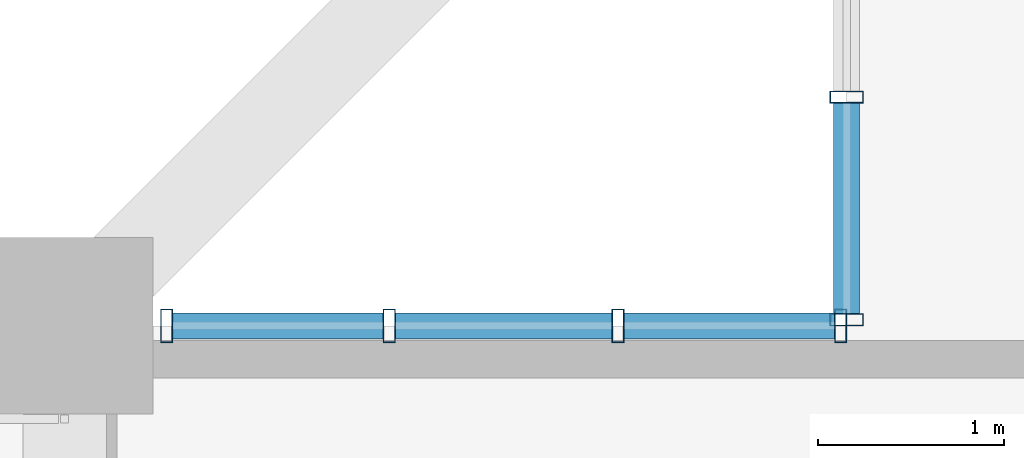
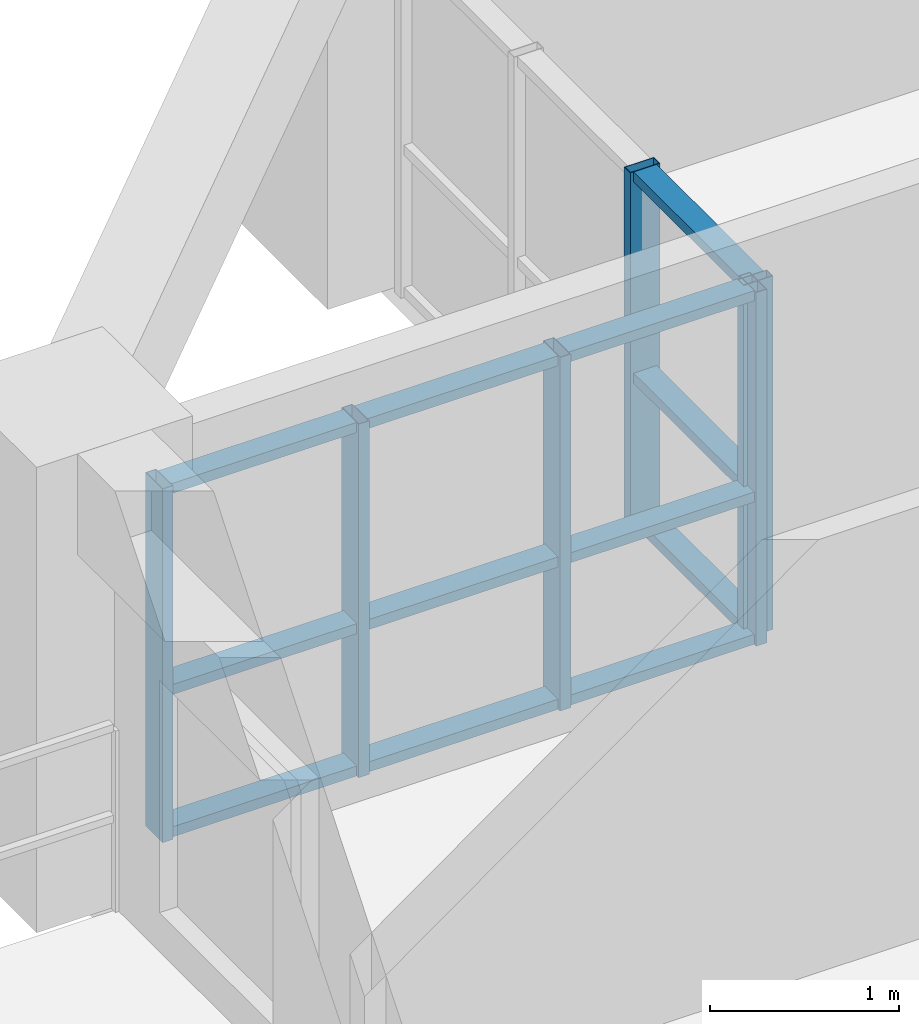
# One storey, part 6 of 25: 18 members, 2 elements without a shape of their own.
"""IFC4 building model written with IfcOpenShell, lengths in metres."""

import ifcopenshell
import ifcopenshell.guid

model = None  # the IFC model being written
_history = None  # IfcOwnerHistory: only IFC2X3 demands one
_inside = {}  # id of a spatial element -> (the spatial element, [elements in it])
_under = {}  # id of a project, library or spatial element -> (it, [spatial elements below it])
_declared = {}  # id of a project -> (the project, [libraries it declares])
_typed = {}  # id of a type object -> (the type object, [elements of that type])
_made_of = {}  # id of a material, layer set ... -> (it, [elements and type objects made of it])


def new_model(schema):
    """Start an empty IFC model of exactly this schema.

    Asked for "IFC4X3", IfcOpenShell would pick the latest addendum, in which some entities
    have other attributes; the version numbers below select the first issue.
    IFC2X3 requires an IfcOwnerHistory on every rooted entity: one is made here for all.
    """
    global model, _history
    if schema == "IFC4X3":
        model = ifcopenshell.file(schema_version=(4, 3, 0, 0))
    else:
        model = ifcopenshell.file(schema=schema)
    _inside.clear()
    _under.clear()
    _declared.clear()
    _typed.clear()
    _made_of.clear()
    _history = None
    if model.schema == "IFC2X3":
        org = make("IfcOrganization", Name="unknown")
        user = make(
            "IfcPersonAndOrganization",
            ThePerson=make("IfcPerson", FamilyName="unknown"),
            TheOrganization=org,
        )
        app = make(
            "IfcApplication",
            ApplicationDeveloper=org,
            Version="unknown",
            ApplicationFullName="unknown",
            ApplicationIdentifier="unknown",
        )
        _history = make(
            "IfcOwnerHistory",
            OwningUser=user,
            OwningApplication=app,
            ChangeAction="ADDED",
            CreationDate=0,
        )
    return model


def make(cls, **values):
    """One entity of the class cls with the attributes given. An attribute that is None is left unset."""
    return model.create_entity(
        cls, **{name: value for name, value in values.items() if value is not None}
    )


def rooted(cls, **values):
    """An entity with a GlobalId (a new one), such as an element, a storey or a relation."""
    return make(cls, GlobalId=ifcopenshell.guid.new(), OwnerHistory=_history, **values)


def si_unit(unit_type, name, prefix=None):
    """IfcSIUnit, for example si_unit("LENGTHUNIT", "METRE", prefix="MILLI")."""
    return make("IfcSIUnit", UnitType=unit_type, Prefix=prefix, Name=name)


def assignment(units):
    """IfcUnitAssignment: the units of a project."""
    return None if units is None else make("IfcUnitAssignment", Units=units)


def point(xyz):
    """IfcCartesianPoint."""
    return None if xyz is None else make("IfcCartesianPoint", Coordinates=xyz)


def direction(xyz):
    """IfcDirection."""
    return None if xyz is None else make("IfcDirection", DirectionRatios=xyz)


def frame(location, z_axis=None, x_axis=None):
    """IfcAxis2Placement3D, a coordinate frame: its origin and axes. An axis left out is left unset."""
    return make(
        "IfcAxis2Placement3D",
        Location=point(location),
        Axis=direction(z_axis),
        RefDirection=direction(x_axis),
    )


def frame_2d(location, x_axis=None):
    """IfcAxis2Placement2D, a coordinate frame in the plane: its origin and x axis."""
    return make(
        "IfcAxis2Placement2D", Location=point(location), RefDirection=direction(x_axis)
    )


def origin():
    """The frame at (0, 0, 0) with its axes left unset."""
    return frame((0.0, 0.0, 0.0))


def origin_2d():
    """The frame at (0, 0) in the plane with its x axis left unset."""
    return frame_2d((0.0, 0.0))


def place(relative_to, where):
    """IfcLocalPlacement: puts the frame where relative to a parent placement (None: the world)."""
    return make(
        "IfcLocalPlacement", PlacementRelTo=relative_to, RelativePlacement=where
    )


def context(
    kind, dimensions, precision=None, world=None, true_north=None, identifier=None
):
    """IfcGeometricRepresentationContext, for example the 3D "Model" context."""
    return make(
        "IfcGeometricRepresentationContext",
        ContextIdentifier=identifier,
        ContextType=kind,
        CoordinateSpaceDimension=dimensions,
        Precision=precision,
        WorldCoordinateSystem=world,
        TrueNorth=true_north,
    )


def subcontext(parent, identifier, kind, view, scale=None):
    """IfcGeometricRepresentationSubContext, for example "Body" below "Model"."""
    return make(
        "IfcGeometricRepresentationSubContext",
        ContextIdentifier=identifier,
        ContextType=kind,
        ParentContext=parent,
        TargetScale=scale,
        TargetView=view,
    )


def project(units=None, contexts=None):
    """IfcProject with its units and contexts."""
    return rooted(
        "IfcProject",
        Name="project",
        RepresentationContexts=contexts,
        UnitsInContext=assignment(units),
    )


def spatial(cls, under=None, at=None, **own):
    """A site, building, storey or space (cls), placed at a placement, below another one or the project."""
    s = rooted(cls, ObjectPlacement=at, **own)
    if under is not None:
        _under.setdefault(under.id(), (under, []))[1].append(s)
    return s


def profile(cls, at=None, kind="AREA", **sizes):
    """A parametric profile (cls). Its sizes go by their IFC names, for example OverallWidth=200.0."""
    return make(cls, ProfileType=kind, Position=at, **sizes)


def hollow_rectangle(**sizes):
    """IfcRectangleHollowProfileDef."""
    return profile("IfcRectangleHollowProfileDef", **sizes)


def extrude(swept, where, along, depth):
    """IfcExtrudedAreaSolid: the profile swept, set in the frame where, extruded along a direction by depth."""
    return make(
        "IfcExtrudedAreaSolid",
        SweptArea=swept,
        Position=where,
        ExtrudedDirection=direction(along),
        Depth=depth,
    )


def shape(context_of_items, identifier, shape_type, items):
    """IfcShapeRepresentation: the items that make up one representation, for example the "Body"."""
    return make(
        "IfcShapeRepresentation",
        ContextOfItems=context_of_items,
        RepresentationIdentifier=identifier,
        RepresentationType=shape_type,
        Items=items,
    )


def source(mapping_origin, context_of_items, identifier, shape_type, items):
    """IfcRepresentationMap: a shape defined once, which mapped items show again and again."""
    return make(
        "IfcRepresentationMap",
        MappingOrigin=mapping_origin,
        MappedRepresentation=shape(context_of_items, identifier, shape_type, items),
    )


def transform(
    local_origin,
    x_axis=None,
    y_axis=None,
    z_axis=None,
    scale=None,
    scale2=None,
    scale3=None,
    uniform=True,
):
    """IfcCartesianTransformationOperator3D, or its non-uniform kind. x_axis, y_axis, z_axis: its Axis1, 2, 3."""
    if uniform:
        return make(
            "IfcCartesianTransformationOperator3D",
            Axis1=direction(x_axis),
            Axis2=direction(y_axis),
            LocalOrigin=point(local_origin),
            Scale=scale,
            Axis3=direction(z_axis),
        )
    return make(
        "IfcCartesianTransformationOperator3DnonUniform",
        Axis1=direction(x_axis),
        Axis2=direction(y_axis),
        LocalOrigin=point(local_origin),
        Scale=scale,
        Axis3=direction(z_axis),
        Scale2=scale2,
        Scale3=scale3,
    )


def mapped(mapping_source, mapping_target):
    """IfcMappedItem: shows the shape of a source again, moved by a transform."""
    return make(
        "IfcMappedItem", MappingSource=mapping_source, MappingTarget=mapping_target
    )


def material(Name=None, Category=None):
    """IfcMaterial."""
    return make("IfcMaterial", Name=Name, Category=Category)


def layer(
    of_material, thickness, ventilated=None, Name=None, Category=None, Priority=None
):
    """IfcMaterialLayer: one layer of a wall or slab, of a material (None: an air gap)."""
    return make(
        "IfcMaterialLayer",
        Material=of_material,
        LayerThickness=thickness,
        IsVentilated=ventilated,
        Name=Name,
        Category=Category,
        Priority=Priority,
    )


def layer_set(layers, Name=None):
    """IfcMaterialLayerSet."""
    return make("IfcMaterialLayerSet", MaterialLayers=layers, LayerSetName=Name)


def material_profile(
    of_material, cross_section, Name=None, Category=None, Priority=None
):
    """IfcMaterialProfile: a cross section and its material."""
    return make(
        "IfcMaterialProfile",
        Name=Name,
        Material=of_material,
        Profile=cross_section,
        Priority=Priority,
        Category=Category,
    )


def profile_set(profiles, Name=None, composite=None):
    """IfcMaterialProfileSet."""
    return make(
        "IfcMaterialProfileSet",
        Name=Name,
        MaterialProfiles=profiles,
        CompositeProfile=composite,
    )


def made_of(thing, what):
    """Note that an element or type object is made of a material, layer set ...; save() writes the relation."""
    if what is not None:
        _made_of.setdefault(what.id(), (what, []))[1].append(thing)
    return thing


def type_object(cls, material=None, **own):
    """A type object (cls), such as IfcWallType, which elements share."""
    return made_of(rooted(cls, **own), material)


def element(
    cls,
    number,
    at=None,
    inside=None,
    cuts=None,
    type_object=None,
    material=None,
    context=None,
    identifier="Body",
    shape_type=None,
    held_by="IfcProductDefinitionShape",
    body=None,
    shapes=None,
    **own,
):
    """One element of the class cls, such as IfcWall. Its Tag is "e" and its number.

    at: its placement. inside: the storey or other place that contains it. cuts: it is an
    opening in that element (IfcRelVoidsElement). A single representation is given by context,
    identifier, shape_type and body (its items); several are given by shapes. held_by: the class
    of the entity that holds the representations. save() writes the other relations.
    """
    e = rooted(cls, Tag="e%d" % number, ObjectPlacement=at, **own)
    if body is not None:
        shapes = [shape(context, identifier, shape_type, body)]
    if shapes is not None:
        e.Representation = make(held_by, Representations=shapes)
    if inside is not None:
        _inside.setdefault(inside.id(), (inside, []))[1].append(e)
    if cuts is not None:
        rooted(
            "IfcRelVoidsElement", RelatingBuildingElement=cuts, RelatedOpeningElement=e
        )
    if type_object is not None:
        _typed.setdefault(type_object.id(), (type_object, []))[1].append(e)
    return made_of(e, material)


def aggregate(whole, parts):
    """IfcRelAggregates: a whole, such as a stair, and the parts it consists of."""
    return rooted("IfcRelAggregates", RelatingObject=whole, RelatedObjects=parts)


def save(model, path):
    """Write the relations noted so far, then the file.

    IfcRelAggregates (storeys below a building ...), IfcRelContainedInSpatialStructure (elements
    in a storey), IfcRelDefinesByType, IfcRelAssociatesMaterial and IfcRelDeclares: one each for
    every whole, place, type object, material and project.
    """
    for whole, parts in _under.values():
        aggregate(whole, parts)
    for where, things in _inside.values():
        rooted(
            "IfcRelContainedInSpatialStructure",
            RelatedElements=things,
            RelatingStructure=where,
        )
    for kind, things in _typed.values():
        rooted("IfcRelDefinesByType", RelatedObjects=things, RelatingType=kind)
    for what, things in _made_of.values():
        rooted("IfcRelAssociatesMaterial", RelatedObjects=things, RelatingMaterial=what)
    for by, libraries in _declared.values():
        rooted("IfcRelDeclares", RelatingContext=by, RelatedDefinitions=libraries)
    model.write(path)


model = new_model("IFC4")

# Units and contexts
model_context = context("Model", 3, precision=1e-05, world=origin(), true_north=direction((0.0, 1.0)))
body_context = subcontext(model_context, "Body", "Model", "MODEL_VIEW")
ifc_project = project(units=[si_unit("LENGTHUNIT", "METRE"), si_unit("AREAUNIT", "SQUARE_METRE"), si_unit("VOLUMEUNIT", "CUBIC_METRE"), si_unit("PLANEANGLEUNIT", "RADIAN"), si_unit("MASSUNIT", "GRAM", prefix="KILO")], contexts=[model_context])

# Site, building, storey
site_placement = place(None, origin())
site = spatial("IfcSite", under=ifc_project, at=site_placement, CompositionType="ELEMENT")
building_placement = place(site_placement, origin())
building = spatial("IfcBuilding", under=site, at=building_placement, Name="Saelheon Loggia Tower", CompositionType="ELEMENT")
storey_placement = place(building_placement, frame((0.0, 0.0, 107.85009765625)))
storey = spatial("IfcBuildingStorey", under=building, at=storey_placement, Name="L34", CompositionType="ELEMENT", Elevation=107.85009765625)

# Curtain wall, members
ifc_material_1 = material(Name="Thermal-Break Aluminium and Triple Low-E Glass", Category="aluminium")
ifc_layer = layer(ifc_material_1, 0.159912109375)
ifc_layer_set = layer_set([ifc_layer], Name="Thermal-Break Aluminium and Triple Low-E Glass")
curtain_wall_type = type_object("IfcCurtainWallType", Name="CW_TowerLoggiaLow", PredefinedType="NOTDEFINED", material=ifc_layer_set)
curtain_wall_1_placement = place(storey_placement, origin())
curtain_wall_1 = element("IfcCurtainWall", 1, at=curtain_wall_1_placement, inside=storey, type_object=curtain_wall_type, Name="L34 Corner Notch Glazing NW1", PredefinedType="NOTDEFINED")
ifc_material_2 = material(Name="Anodised Aluminium 6063-T6", Category="aluminium")
ifc_material_profile_1 = material_profile(ifc_material_2, hollow_rectangle(XDim=0.06494140625, YDim=0.179931640625, WallThickness=0.00390625, at=origin_2d()), Name="RHS-180x65x4")
ifc_profile_set_1 = profile_set([ifc_material_profile_1], Name="Anodised Aluminium 6063-T6")
member_type_1 = type_object("IfcMemberType", Name="CW_TowerLoggiaLow_Mullion", PredefinedType="MULLION", material=ifc_profile_set_1)
shared_shape_1 = source(origin(), body_context, "Body", "SweptSolid", [
    extrude(hollow_rectangle(XDim=0.06494140625, YDim=0.179931640625, WallThickness=0.00390625, at=origin_2d()), origin(), (0.0, 0.0, 1.0), 2.27978515625),
])
member_1_placement = place(storey_placement, frame((16.199951171875, 46.83251953125, 0.0), z_axis=(0.0, 0.0, 1.0), x_axis=(0.0, 1.0, 0.0)))
member_1 = element("IfcMember", 2, at=member_1_placement, type_object=member_type_1, Name="CW3 mullion 1", PredefinedType="MULLION", context=body_context, shape_type="MappedRepresentation", body=[
    mapped(shared_shape_1, transform((0.0, 0.0, 0.0), scale=1.0)),
])
member_2_placement = place(storey_placement, frame((16.199951171875, 48.0283203125, 0.0), z_axis=(0.0, 0.0, 1.0), x_axis=(0.0, 1.0, 0.0)))
member_2 = element("IfcMember", 3, at=member_2_placement, type_object=member_type_1, Name="CW3 mullion 2", PredefinedType="MULLION", context=body_context, shape_type="MappedRepresentation", body=[
    mapped(shared_shape_1, transform((0.0, 0.0, 0.0), scale=1.0)),
])

curtain_wall_2_placement = place(storey_placement, origin())
curtain_wall_2 = element("IfcCurtainWall", 4, at=curtain_wall_2_placement, inside=storey, type_object=curtain_wall_type, Name="L34 Corner Notch Glazing NW2", PredefinedType="NOTDEFINED")
member_3_placement = place(storey_placement, frame((12.547607421875, 46.800048828125, 0.0), z_axis=(0.0, 0.0, 1.0), x_axis=(1.0, 0.0, 0.0)))
member_3 = element("IfcMember", 5, at=member_3_placement, type_object=member_type_1, Name="CW3 mullion 1", PredefinedType="MULLION", context=body_context, shape_type="MappedRepresentation", body=[
    mapped(shared_shape_1, transform((0.0, 0.0, 0.0), scale=1.0)),
])
member_4_placement = place(storey_placement, frame((13.743408203125, 46.800048828125, 0.0), z_axis=(0.0, 0.0, 1.0), x_axis=(1.0, 0.0, 0.0)))
member_4 = element("IfcMember", 6, at=member_4_placement, type_object=member_type_1, Name="CW3 mullion 2", PredefinedType="MULLION", context=body_context, shape_type="MappedRepresentation", body=[
    mapped(shared_shape_1, transform((0.0, 0.0, 0.0), scale=1.0)),
])
member_5_placement = place(storey_placement, frame((14.9716796875, 46.800048828125, 0.0), z_axis=(0.0, 0.0, 1.0), x_axis=(1.0, 0.0, 0.0)))
member_5 = element("IfcMember", 7, at=member_5_placement, type_object=member_type_1, Name="CW3 mullion 3", PredefinedType="MULLION", context=body_context, shape_type="MappedRepresentation", body=[
    mapped(shared_shape_1, transform((0.0, 0.0, 0.0), scale=1.0)),
])
member_6_placement = place(storey_placement, frame((16.16748046875, 46.800048828125, 0.0), z_axis=(0.0, 0.0, 1.0), x_axis=(1.0, 0.0, 0.0)))
member_6 = element("IfcMember", 8, at=member_6_placement, type_object=member_type_1, Name="CW3 mullion 4", PredefinedType="MULLION", context=body_context, shape_type="MappedRepresentation", body=[
    mapped(shared_shape_1, transform((0.0, 0.0, 0.0), scale=1.0)),
])

# Member
ifc_material_profile_2 = material_profile(ifc_material_2, hollow_rectangle(XDim=0.06494140625, YDim=0.139892578125, WallThickness=0.00390625, at=origin_2d()), Name="RHS-140x65x4")
ifc_profile_set_2 = profile_set([ifc_material_profile_2], Name="Anodised Aluminium 6063-T6")
member_type_2 = type_object("IfcMemberType", Name="CW_TowerLoggiaLow_Transom", PredefinedType="USERDEFINED", material=ifc_profile_set_2)
shared_shape_2 = source(origin(), body_context, "Body", "SweptSolid", [
    extrude(hollow_rectangle(XDim=0.06494140625, YDim=0.139892578125, WallThickness=0.00390625, at=origin_2d()), origin(), (0.0, 0.0, 1.0), 1.130859375),
])
member_7_placement = place(storey_placement, frame((16.199951171875, 46.864990234375, 0.032470703125), z_axis=(0.0, 1.0, 0.0), x_axis=(0.0, 0.0, 1.0)))
member_7 = element("IfcMember", 9, at=member_7_placement, type_object=member_type_2, Name="CW3 transom 1.1", ObjectType="TRANSOM", PredefinedType="USERDEFINED", context=body_context, shape_type="MappedRepresentation", body=[
    mapped(shared_shape_2, transform((0.0, 0.0, 0.0), scale=1.0)),
])

member_8_placement = place(storey_placement, frame((16.199951171875, 46.864990234375, 0.949951171875), z_axis=(0.0, 1.0, 0.0), x_axis=(0.0, 0.0, 1.0)))
member_8 = element("IfcMember", 10, at=member_8_placement, type_object=member_type_2, Name="CW3 transom 1.2", ObjectType="TRANSOM", PredefinedType="USERDEFINED", context=body_context, shape_type="MappedRepresentation", body=[
    mapped(shared_shape_2, transform((0.0, 0.0, 0.0), scale=1.0)),
])

member_9_placement = place(storey_placement, frame((16.199951171875, 46.864990234375, 2.247314453125), z_axis=(0.0, 1.0, 0.0), x_axis=(0.0, 0.0, 1.0)))
member_9 = element("IfcMember", 11, at=member_9_placement, type_object=member_type_2, Name="CW3 transom 1.3", ObjectType="TRANSOM", PredefinedType="USERDEFINED", context=body_context, shape_type="MappedRepresentation", body=[
    mapped(shared_shape_2, transform((0.0, 0.0, 0.0), scale=1.0)),
])

aggregate(curtain_wall_1, [member_1, member_2, member_7, member_8, member_9])

member_10_placement = place(storey_placement, frame((12.580078125, 46.800048828125, 0.032470703125), z_axis=(1.0, 0.0, 0.0), x_axis=(0.0, 0.0, 1.0)))
member_10 = element("IfcMember", 12, at=member_10_placement, type_object=member_type_2, Name="CW3 transom 1.1", ObjectType="TRANSOM", PredefinedType="USERDEFINED", context=body_context, shape_type="MappedRepresentation", body=[
    mapped(shared_shape_2, transform((0.0, 0.0, 0.0), scale=1.0)),
])

member_11_placement = place(storey_placement, frame((12.580078125, 46.800048828125, 0.949951171875), z_axis=(1.0, 0.0, 0.0), x_axis=(0.0, 0.0, 1.0)))
member_11 = element("IfcMember", 13, at=member_11_placement, type_object=member_type_2, Name="CW3 transom 1.2", ObjectType="TRANSOM", PredefinedType="USERDEFINED", context=body_context, shape_type="MappedRepresentation", body=[
    mapped(shared_shape_2, transform((0.0, 0.0, 0.0), scale=1.0)),
])

member_12_placement = place(storey_placement, frame((12.580078125, 46.800048828125, 2.247314453125), z_axis=(1.0, 0.0, 0.0), x_axis=(0.0, 0.0, 1.0)))
member_12 = element("IfcMember", 14, at=member_12_placement, type_object=member_type_2, Name="CW3 transom 1.3", ObjectType="TRANSOM", PredefinedType="USERDEFINED", context=body_context, shape_type="MappedRepresentation", body=[
    mapped(shared_shape_2, transform((0.0, 0.0, 0.0), scale=1.0)),
])

member_13_placement = place(storey_placement, frame((15.004150390625, 46.800048828125, 0.032470703125), z_axis=(1.0, 0.0, 0.0), x_axis=(0.0, 0.0, 1.0)))
member_13 = element("IfcMember", 15, at=member_13_placement, type_object=member_type_2, Name="CW3 transom 3.1", ObjectType="TRANSOM", PredefinedType="USERDEFINED", context=body_context, shape_type="MappedRepresentation", body=[
    mapped(shared_shape_2, transform((0.0, 0.0, 0.0), scale=1.0)),
])

member_14_placement = place(storey_placement, frame((15.004150390625, 46.800048828125, 0.949951171875), z_axis=(1.0, 0.0, 0.0), x_axis=(0.0, 0.0, 1.0)))
member_14 = element("IfcMember", 16, at=member_14_placement, type_object=member_type_2, Name="CW3 transom 3.2", ObjectType="TRANSOM", PredefinedType="USERDEFINED", context=body_context, shape_type="MappedRepresentation", body=[
    mapped(shared_shape_2, transform((0.0, 0.0, 0.0), scale=1.0)),
])

member_15_placement = place(storey_placement, frame((15.004150390625, 46.800048828125, 2.247314453125), z_axis=(1.0, 0.0, 0.0), x_axis=(0.0, 0.0, 1.0)))
member_15 = element("IfcMember", 17, at=member_15_placement, type_object=member_type_2, Name="CW3 transom 3.3", ObjectType="TRANSOM", PredefinedType="USERDEFINED", context=body_context, shape_type="MappedRepresentation", body=[
    mapped(shared_shape_2, transform((0.0, 0.0, 0.0), scale=1.0)),
])

shared_shape_3 = source(origin(), body_context, "Body", "SweptSolid", [
    extrude(hollow_rectangle(XDim=0.06494140625, YDim=0.139892578125, WallThickness=0.00390625, at=origin_2d()), origin(), (0.0, 0.0, 1.0), 1.163330078125),
])
member_16_placement = place(storey_placement, frame((13.77587890625, 46.800048828125, 0.032470703125), z_axis=(1.0, 0.0, 0.0), x_axis=(0.0, 0.0, 1.0)))
member_16 = element("IfcMember", 18, at=member_16_placement, type_object=member_type_2, Name="CW3 transom 2.1", ObjectType="TRANSOM", PredefinedType="USERDEFINED", context=body_context, shape_type="MappedRepresentation", body=[
    mapped(shared_shape_3, transform((0.0, 0.0, 0.0), scale=1.0)),
])

member_17_placement = place(storey_placement, frame((13.77587890625, 46.800048828125, 0.949951171875), z_axis=(1.0, 0.0, 0.0), x_axis=(0.0, 0.0, 1.0)))
member_17 = element("IfcMember", 19, at=member_17_placement, type_object=member_type_2, Name="CW3 transom 2.2", ObjectType="TRANSOM", PredefinedType="USERDEFINED", context=body_context, shape_type="MappedRepresentation", body=[
    mapped(shared_shape_3, transform((0.0, 0.0, 0.0), scale=1.0)),
])

member_18_placement = place(storey_placement, frame((13.77587890625, 46.800048828125, 2.247314453125), z_axis=(1.0, 0.0, 0.0), x_axis=(0.0, 0.0, 1.0)))
member_18 = element("IfcMember", 20, at=member_18_placement, type_object=member_type_2, Name="CW3 transom 2.3", ObjectType="TRANSOM", PredefinedType="USERDEFINED", context=body_context, shape_type="MappedRepresentation", body=[
    mapped(shared_shape_3, transform((0.0, 0.0, 0.0), scale=1.0)),
])

aggregate(curtain_wall_2, [member_3, member_4, member_5, member_6, member_10, member_11, member_12, member_16, member_17, member_18, member_13, member_14, member_15])

save(model, "model.ifc")
